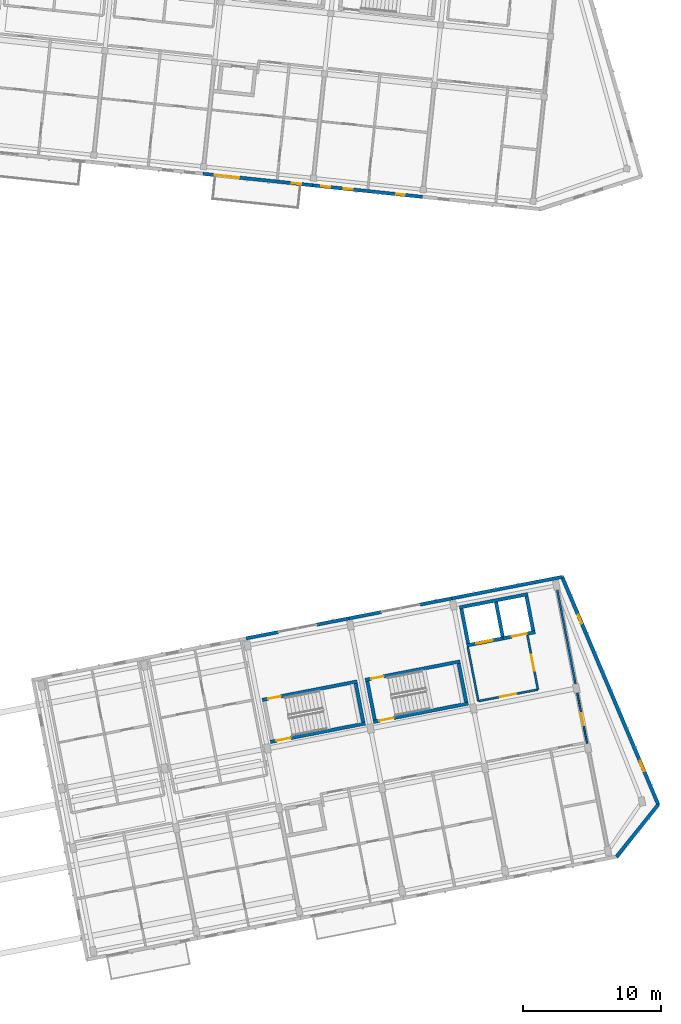
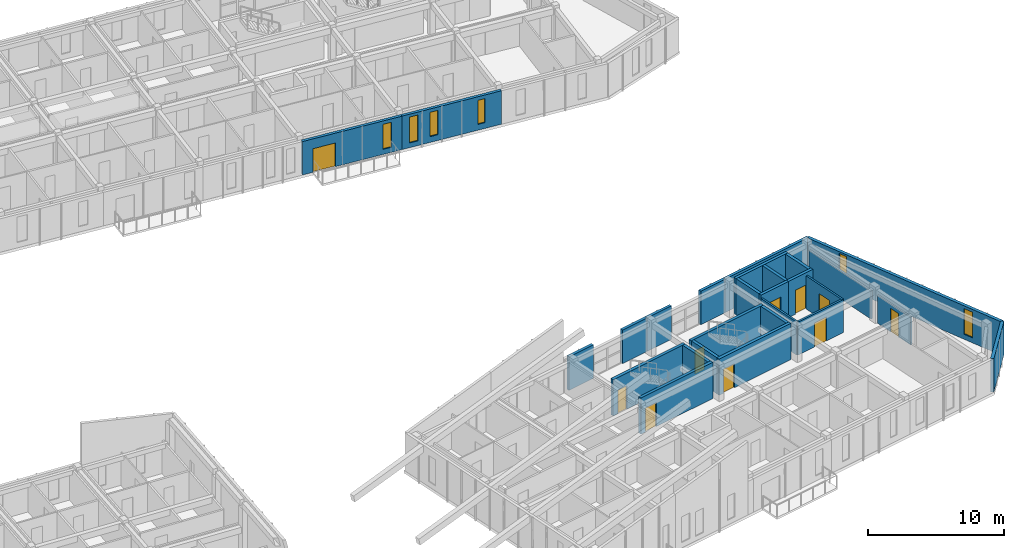
# One storey, part 34 of 64: 27 walls, 10 doors, 6 windows, 16 openings.
"""IFC4 building model written with IfcOpenShell, lengths in metres."""

import ifcopenshell
import ifcopenshell.guid

model = None  # the IFC model being written
_history = None  # IfcOwnerHistory: only IFC2X3 demands one
_inside = {}  # id of a spatial element -> (the spatial element, [elements in it])
_under = {}  # id of a project, library or spatial element -> (it, [spatial elements below it])
_declared = {}  # id of a project -> (the project, [libraries it declares])
_typed = {}  # id of a type object -> (the type object, [elements of that type])
_made_of = {}  # id of a material, layer set ... -> (it, [elements and type objects made of it])


def new_model(schema):
    """Start an empty IFC model of exactly this schema.

    Asked for "IFC4X3", IfcOpenShell would pick the latest addendum, in which some entities
    have other attributes; the version numbers below select the first issue.
    IFC2X3 requires an IfcOwnerHistory on every rooted entity: one is made here for all.
    """
    global model, _history
    if schema == "IFC4X3":
        model = ifcopenshell.file(schema_version=(4, 3, 0, 0))
    else:
        model = ifcopenshell.file(schema=schema)
    _inside.clear()
    _under.clear()
    _declared.clear()
    _typed.clear()
    _made_of.clear()
    _history = None
    if model.schema == "IFC2X3":
        org = make("IfcOrganization", Name="unknown")
        user = make(
            "IfcPersonAndOrganization",
            ThePerson=make("IfcPerson", FamilyName="unknown"),
            TheOrganization=org,
        )
        app = make(
            "IfcApplication",
            ApplicationDeveloper=org,
            Version="unknown",
            ApplicationFullName="unknown",
            ApplicationIdentifier="unknown",
        )
        _history = make(
            "IfcOwnerHistory",
            OwningUser=user,
            OwningApplication=app,
            ChangeAction="ADDED",
            CreationDate=0,
        )
    return model


def make(cls, **values):
    """One entity of the class cls with the attributes given. An attribute that is None is left unset."""
    return model.create_entity(
        cls, **{name: value for name, value in values.items() if value is not None}
    )


def rooted(cls, **values):
    """An entity with a GlobalId (a new one), such as an element, a storey or a relation."""
    return make(cls, GlobalId=ifcopenshell.guid.new(), OwnerHistory=_history, **values)


def si_unit(unit_type, name, prefix=None):
    """IfcSIUnit, for example si_unit("LENGTHUNIT", "METRE", prefix="MILLI")."""
    return make("IfcSIUnit", UnitType=unit_type, Prefix=prefix, Name=name)


def assignment(units):
    """IfcUnitAssignment: the units of a project."""
    return None if units is None else make("IfcUnitAssignment", Units=units)


def point(xyz):
    """IfcCartesianPoint."""
    return None if xyz is None else make("IfcCartesianPoint", Coordinates=xyz)


def direction(xyz):
    """IfcDirection."""
    return None if xyz is None else make("IfcDirection", DirectionRatios=xyz)


def frame(location, z_axis=None, x_axis=None):
    """IfcAxis2Placement3D, a coordinate frame: its origin and axes. An axis left out is left unset."""
    return make(
        "IfcAxis2Placement3D",
        Location=point(location),
        Axis=direction(z_axis),
        RefDirection=direction(x_axis),
    )


def frame_2d(location, x_axis=None):
    """IfcAxis2Placement2D, a coordinate frame in the plane: its origin and x axis."""
    return make(
        "IfcAxis2Placement2D", Location=point(location), RefDirection=direction(x_axis)
    )


def origin():
    """The frame at (0, 0, 0) with its axes left unset."""
    return frame((0.0, 0.0, 0.0))


def place(relative_to, where):
    """IfcLocalPlacement: puts the frame where relative to a parent placement (None: the world)."""
    return make(
        "IfcLocalPlacement", PlacementRelTo=relative_to, RelativePlacement=where
    )


def context(
    kind, dimensions, precision=None, world=None, true_north=None, identifier=None
):
    """IfcGeometricRepresentationContext, for example the 3D "Model" context."""
    return make(
        "IfcGeometricRepresentationContext",
        ContextIdentifier=identifier,
        ContextType=kind,
        CoordinateSpaceDimension=dimensions,
        Precision=precision,
        WorldCoordinateSystem=world,
        TrueNorth=true_north,
    )


def subcontext(parent, identifier, kind, view, scale=None):
    """IfcGeometricRepresentationSubContext, for example "Body" below "Model"."""
    return make(
        "IfcGeometricRepresentationSubContext",
        ContextIdentifier=identifier,
        ContextType=kind,
        ParentContext=parent,
        TargetScale=scale,
        TargetView=view,
    )


def project(units=None, contexts=None):
    """IfcProject with its units and contexts."""
    return rooted(
        "IfcProject",
        Name="project",
        RepresentationContexts=contexts,
        UnitsInContext=assignment(units),
    )


def spatial(cls, under=None, at=None, **own):
    """A site, building, storey or space (cls), placed at a placement, below another one or the project."""
    s = rooted(cls, ObjectPlacement=at, **own)
    if under is not None:
        _under.setdefault(under.id(), (under, []))[1].append(s)
    return s


def profile(cls, at=None, kind="AREA", **sizes):
    """A parametric profile (cls). Its sizes go by their IFC names, for example OverallWidth=200.0."""
    return make(cls, ProfileType=kind, Position=at, **sizes)


def rectangle(**sizes):
    """IfcRectangleProfileDef."""
    return profile("IfcRectangleProfileDef", **sizes)


def extrude(swept, where, along, depth):
    """IfcExtrudedAreaSolid: the profile swept, set in the frame where, extruded along a direction by depth."""
    return make(
        "IfcExtrudedAreaSolid",
        SweptArea=swept,
        Position=where,
        ExtrudedDirection=direction(along),
        Depth=depth,
    )


def shape(context_of_items, identifier, shape_type, items):
    """IfcShapeRepresentation: the items that make up one representation, for example the "Body"."""
    return make(
        "IfcShapeRepresentation",
        ContextOfItems=context_of_items,
        RepresentationIdentifier=identifier,
        RepresentationType=shape_type,
        Items=items,
    )


def material(Name=None, Category=None):
    """IfcMaterial."""
    return make("IfcMaterial", Name=Name, Category=Category)


def layer(
    of_material, thickness, ventilated=None, Name=None, Category=None, Priority=None
):
    """IfcMaterialLayer: one layer of a wall or slab, of a material (None: an air gap)."""
    return make(
        "IfcMaterialLayer",
        Material=of_material,
        LayerThickness=thickness,
        IsVentilated=ventilated,
        Name=Name,
        Category=Category,
        Priority=Priority,
    )


def layer_set(layers, Name=None):
    """IfcMaterialLayerSet."""
    return make("IfcMaterialLayerSet", MaterialLayers=layers, LayerSetName=Name)


def made_of(thing, what):
    """Note that an element or type object is made of a material, layer set ...; save() writes the relation."""
    if what is not None:
        _made_of.setdefault(what.id(), (what, []))[1].append(thing)
    return thing


def type_object(cls, material=None, **own):
    """A type object (cls), such as IfcWallType, which elements share."""
    return made_of(rooted(cls, **own), material)


def element(
    cls,
    number,
    at=None,
    inside=None,
    cuts=None,
    type_object=None,
    material=None,
    context=None,
    identifier="Body",
    shape_type=None,
    held_by="IfcProductDefinitionShape",
    body=None,
    shapes=None,
    **own,
):
    """One element of the class cls, such as IfcWall. Its Tag is "e" and its number.

    at: its placement. inside: the storey or other place that contains it. cuts: it is an
    opening in that element (IfcRelVoidsElement). A single representation is given by context,
    identifier, shape_type and body (its items); several are given by shapes. held_by: the class
    of the entity that holds the representations. save() writes the other relations.
    """
    e = rooted(cls, Tag="e%d" % number, ObjectPlacement=at, **own)
    if body is not None:
        shapes = [shape(context, identifier, shape_type, body)]
    if shapes is not None:
        e.Representation = make(held_by, Representations=shapes)
    if inside is not None:
        _inside.setdefault(inside.id(), (inside, []))[1].append(e)
    if cuts is not None:
        rooted(
            "IfcRelVoidsElement", RelatingBuildingElement=cuts, RelatedOpeningElement=e
        )
    if type_object is not None:
        _typed.setdefault(type_object.id(), (type_object, []))[1].append(e)
    return made_of(e, material)


def fill(opening, filler):
    """IfcRelFillsElement: the door or window that sits in an opening."""
    return rooted(
        "IfcRelFillsElement",
        RelatingOpeningElement=opening,
        RelatedBuildingElement=filler,
    )


def aggregate(whole, parts):
    """IfcRelAggregates: a whole, such as a stair, and the parts it consists of."""
    return rooted("IfcRelAggregates", RelatingObject=whole, RelatedObjects=parts)


def save(model, path):
    """Write the relations noted so far, then the file.

    IfcRelAggregates (storeys below a building ...), IfcRelContainedInSpatialStructure (elements
    in a storey), IfcRelDefinesByType, IfcRelAssociatesMaterial and IfcRelDeclares: one each for
    every whole, place, type object, material and project.
    """
    for whole, parts in _under.values():
        aggregate(whole, parts)
    for where, things in _inside.values():
        rooted(
            "IfcRelContainedInSpatialStructure",
            RelatedElements=things,
            RelatingStructure=where,
        )
    for kind, things in _typed.values():
        rooted("IfcRelDefinesByType", RelatedObjects=things, RelatingType=kind)
    for what, things in _made_of.values():
        rooted("IfcRelAssociatesMaterial", RelatedObjects=things, RelatingMaterial=what)
    for by, libraries in _declared.values():
        rooted("IfcRelDeclares", RelatingContext=by, RelatedDefinitions=libraries)
    model.write(path)


model = new_model("IFC4")

# Units and contexts
model_context = context("Model", 3, precision=1e-05, world=origin(), true_north=direction((0.0, 1.0)))
body_context = subcontext(model_context, "Body", "Model", "MODEL_VIEW")
ifc_project = project(units=[si_unit("LENGTHUNIT", "METRE"), si_unit("AREAUNIT", "SQUARE_METRE"), si_unit("VOLUMEUNIT", "CUBIC_METRE"), si_unit("PLANEANGLEUNIT", "RADIAN"), si_unit("MASSUNIT", "GRAM", prefix="KILO")], contexts=[model_context])

# Site, building, storey
site_placement = place(None, origin())
site = spatial("IfcSite", under=ifc_project, at=site_placement, CompositionType="ELEMENT")
building_placement = place(site_placement, origin())
building = spatial("IfcBuilding", under=site, at=building_placement, Name="Kestramere Prow Commons", CompositionType="ELEMENT")
storey_placement = place(building_placement, frame((0.0, 0.0, 24.64990234375)))
storey = spatial("IfcBuildingStorey", under=building, at=storey_placement, Name="L07", CompositionType="ELEMENT", Elevation=24.64990234375)

# Wall, openings, windows
ifc_material_1 = material(Name="Weathered Zinc-Titanium Standing-Seam Cladding")
ifc_layer_1 = layer(ifc_material_1, 0.260009765625)
ifc_layer_set_1 = layer_set([ifc_layer_1], Name="Weathered Zinc-Titanium Standing-Seam Cladding")
wall_type_1 = type_object("IfcWallType", Name="EW-PROW-260", PredefinedType="SOLIDWALL", material=ifc_layer_set_1)
wall_1_placement = place(storey_placement, frame((159.83740234375, 62.556396484375, 0.0), z_axis=(0.0, 0.0, 1.0), x_axis=(0.389225507936, -0.921142499276, 0.0)))
wall_1 = element("IfcWall", 1, at=wall_1_placement, inside=storey, type_object=wall_type_1, Name="Block D L07 PRW-N Facet Wall", PredefinedType="SOLIDWALL", context=body_context, shape_type="SweptSolid", body=[
    extrude(rectangle(XDim=17.910400390625, YDim=0.260009765625, at=frame_2d((8.955078125, 0.0))), origin(), (0.0, 0.0, 1.0), 3.0),
])
opening_1_placement = place(wall_1_placement, frame((2.989990234375, 0.0, 0.52001953125)))
opening_1 = element("IfcOpeningElement", 2, at=opening_1_placement, cuts=wall_1, Name="Opening WN-05", PredefinedType="OPENING", context=body_context, shape_type="SweptSolid", body=[
    extrude(rectangle(XDim=0.659912109375, YDim=2.320068359375, at=frame_2d((0.330078125, 1.16015625))), frame((0.0, 0.14501953125, 0.0), z_axis=(0.0, -1.0, 0.0), x_axis=(1.0, 0.0, 0.0)), (0.0, 0.0, 1.0), 0.2900390625),
])
opening_2_placement = place(wall_1_placement, frame((14.480224609375, 0.0, 0.449951171875)))
opening_2 = element("IfcOpeningElement", 3, at=opening_2_placement, cuts=wall_1, Name="Opening WN-12", PredefinedType="OPENING", context=body_context, shape_type="SweptSolid", body=[
    extrude(rectangle(XDim=0.800048828125, YDim=2.300048828125, at=frame_2d((0.39990234375, 1.14990234375))), frame((0.0, 0.14501953125, 0.0), z_axis=(0.0, -1.0, 0.0), x_axis=(1.0, 0.0, 0.0)), (0.0, 0.0, 1.0), 0.2900390625),
])
ifc_material_2 = material(Name="Low-E Laminated Double Glazing", Category="glass")
window_type_1 = type_object("IfcWindowType", Name="WN-NAR-660A", PartitioningType="SINGLE_PANEL", PredefinedType="WINDOW", material=ifc_material_2)
window_1_placement = place(opening_1_placement, origin())
window_1 = element("IfcWindow", 4, at=window_1_placement, inside=storey, type_object=window_type_1, Name="WN-D-L07-PRW-N-0", OverallHeight=2.320068359375, OverallWidth=0.659912109375, PartitioningType="SINGLE_PANEL", PredefinedType="WINDOW", context=body_context, shape_type="SweptSolid", body=[
    extrude(rectangle(XDim=0.659912109375, YDim=2.320068359375, at=frame_2d((0.330078125, 1.16015625))), frame((0.0, 0.030029296875, 0.0), z_axis=(0.0, -1.0, 0.0), x_axis=(1.0, 0.0, 0.0)), (0.0, 0.0, 1.0), 0.06005859375),
])
fill(opening_1, window_1)
window_type_2 = type_object("IfcWindowType", Name="WN-NAR-800A", PartitioningType="SINGLE_PANEL", PredefinedType="WINDOW", material=ifc_material_2)
window_2_placement = place(opening_2_placement, origin())
window_2 = element("IfcWindow", 5, at=window_2_placement, inside=storey, type_object=window_type_2, Name="WN-D-L07-PRW-N-1", OverallHeight=2.300048828125, OverallWidth=0.800048828125, PartitioningType="SINGLE_PANEL", PredefinedType="WINDOW", context=body_context, shape_type="SweptSolid", body=[
    extrude(rectangle(XDim=0.800048828125, YDim=2.300048828125, at=frame_2d((0.39990234375, 1.14990234375))), frame((0.0, 0.030029296875, 0.0), z_axis=(0.0, -1.0, 0.0), x_axis=(1.0, 0.0, 0.0)), (0.0, 0.0, 1.0), 0.06005859375),
])
fill(opening_2, window_2)

# Wall
wall_2_placement = place(storey_placement, frame((166.80859375, 46.058349609375, 0.0), z_axis=(0.0, 0.0, 1.0), x_axis=(-0.626281072923, -0.779597343312, 0.0)))
element("IfcWall", 6, at=wall_2_placement, inside=storey, type_object=wall_type_1, Name="Block D L07 PRW-S Facet Wall", PredefinedType="SOLIDWALL", context=body_context, shape_type="SweptSolid", body=[
    extrude(rectangle(XDim=4.83935546875, YDim=0.260009765625, at=frame_2d((2.419677734375, 0.0))), origin(), (0.0, 0.0, 1.0), 3.0),
])

# Wall, openings, door, window
ifc_material_3 = material(Name="Fluoropolymer Standing-Seam Zinc-Aluminium Cladding", Category="aluminium")
ifc_layer_2 = layer(ifc_material_3, 0.239990234375)
ifc_layer_set_2 = layer_set([ifc_layer_2], Name="Fluoropolymer Standing-Seam Zinc-Aluminium Cladding")
wall_type_2 = type_object("IfcWallType", Name="EW-SEAM-240", PredefinedType="SOLIDWALL", material=ifc_layer_set_2)
wall_3_placement = place(storey_placement, frame((141.769775390625, 90.932861328125, 0.0), z_axis=(0.0, 0.0, 1.0), x_axis=(-0.994519156568, 0.104554517933, 0.0)))
wall_3 = element("IfcWall", 7, at=wall_3_placement, inside=storey, type_object=wall_type_2, Name="Block B L07 South Standing-Seam Wall 4", PredefinedType="SOLIDWALL", context=body_context, shape_type="SweptSolid", body=[
    extrude(rectangle(XDim=8.0, YDim=0.239990234375, at=frame_2d((4.0, 0.0))), origin(), (0.0, 0.0, 1.0), 3.0),
])
opening_3_placement = place(wall_3_placement, frame((5.344970703125, 0.0, 0.0)))
opening_3 = element("IfcOpeningElement", 8, at=opening_3_placement, cuts=wall_3, Name="Opening GD-BAL-02", PredefinedType="OPENING", context=body_context, shape_type="SweptSolid", body=[
    extrude(rectangle(XDim=1.800048828125, YDim=2.1201171875, at=frame_2d((0.89990234375, 1.06005859375))), frame((0.0, 0.135009765625, 0.0), z_axis=(0.0, -1.0, 0.0), x_axis=(1.0, 0.0, 0.0)), (0.0, 0.0, 1.0), 0.27001953125),
])
opening_4_placement = place(wall_3_placement, frame((0.830078125, 0.0, 0.4599609375)))
opening_4 = element("IfcOpeningElement", 9, at=opening_4_placement, cuts=wall_3, Name="Opening WN-06", PredefinedType="OPENING", context=body_context, shape_type="SweptSolid", body=[
    extrude(rectangle(XDim=0.679931640625, YDim=2.239990234375, at=frame_2d((0.33984375, 1.1201171875))), frame((0.0, 0.135009765625, 0.0), z_axis=(0.0, -1.0, 0.0), x_axis=(1.0, 0.0, 0.0)), (0.0, 0.0, 1.0), 0.27001953125),
])
ifc_material_4 = material(Name="Thermally-Broken Anodised Aluminium Glazed", Category="aluminium")
door_type_1 = type_object("IfcDoorType", Name="GD-BAL-1800", OperationType="SLIDING_TO_LEFT", PredefinedType="DOOR", material=ifc_material_4)
door_1_placement = place(opening_3_placement, origin())
door_1 = element("IfcDoor", 10, at=door_1_placement, inside=storey, type_object=door_type_1, Name="Block B L07 Balcony Door 4", OperationType="SLIDING_TO_LEFT", OverallHeight=2.1201171875, OverallWidth=1.800048828125, PredefinedType="DOOR", context=body_context, shape_type="SweptSolid", body=[
    extrude(rectangle(XDim=1.800048828125, YDim=2.1201171875, at=frame_2d((0.89990234375, 1.06005859375))), frame((0.0, 0.02490234375, 0.0), z_axis=(0.0, -1.0, 0.0), x_axis=(1.0, 0.0, 0.0)), (0.0, 0.0, 1.0), 0.050048828125),
])
fill(opening_3, door_1)
window_type_3 = type_object("IfcWindowType", Name="WN-NAR-680A", PartitioningType="SINGLE_PANEL", PredefinedType="WINDOW", material=ifc_material_2)
window_3_placement = place(opening_4_placement, origin())
window_3 = element("IfcWindow", 11, at=window_3_placement, inside=storey, type_object=window_type_3, Name="WN-B-L07-SR-3", OverallHeight=2.239990234375, OverallWidth=0.679931640625, PartitioningType="SINGLE_PANEL", PredefinedType="WINDOW", context=body_context, shape_type="SweptSolid", body=[
    extrude(rectangle(XDim=0.679931640625, YDim=2.239990234375, at=frame_2d((0.33984375, 1.1201171875))), frame((0.0, 0.030029296875, 0.0), z_axis=(0.0, -1.0, 0.0), x_axis=(1.0, 0.0, 0.0)), (0.0, 0.0, 1.0), 0.06005859375),
])
fill(opening_4, window_3)

# Wall, openings, windows
wall_4_placement = place(storey_placement, frame((149.72607421875, 90.0966796875, 0.0), z_axis=(0.0, 0.0, 1.0), x_axis=(-0.994522662826, 0.104521161134, 0.0)))
wall_4 = element("IfcWall", 12, at=wall_4_placement, inside=storey, type_object=wall_type_2, Name="Block B L07 South Standing-Seam Wall 5", PredefinedType="SOLIDWALL", context=body_context, shape_type="SweptSolid", body=[
    extrude(rectangle(XDim=8.0, YDim=0.239990234375, at=frame_2d((4.0, 0.0))), origin(), (0.0, 0.0, 1.0), 3.0),
])
opening_5_placement = place(wall_4_placement, frame((1.318603515625, 0.0, 0.52001953125)))
opening_5 = element("IfcOpeningElement", 13, at=opening_5_placement, cuts=wall_4, Name="Opening WN-01", PredefinedType="OPENING", context=body_context, shape_type="SweptSolid", body=[
    extrude(rectangle(XDim=0.580078125, YDim=2.159912109375, at=frame_2d((0.2900390625, 1.080078125))), frame((0.0, 0.135009765625, 0.0), z_axis=(0.0, -1.0, 0.0), x_axis=(1.0, 0.0, 0.0)), (0.0, 0.0, 1.0), 0.27001953125),
])
opening_6_placement = place(wall_4_placement, frame((5.10009765625, 0.0, 0.52001953125)))
opening_6 = element("IfcOpeningElement", 14, at=opening_6_placement, cuts=wall_4, Name="Opening WN-04", PredefinedType="OPENING", context=body_context, shape_type="SweptSolid", body=[
    extrude(rectangle(XDim=0.639892578125, YDim=2.179931640625, at=frame_2d((0.31982421875, 1.08984375))), frame((0.0, 0.135009765625, 0.0), z_axis=(0.0, -1.0, 0.0), x_axis=(1.0, 0.0, 0.0)), (0.0, 0.0, 1.0), 0.27001953125),
])
opening_7_placement = place(wall_4_placement, frame((6.72998046875, 0.0, 0.419921875)))
opening_7 = element("IfcOpeningElement", 15, at=opening_7_placement, cuts=wall_4, Name="Opening WN-05", PredefinedType="OPENING", context=body_context, shape_type="SweptSolid", body=[
    extrude(rectangle(XDim=0.659912109375, YDim=2.320068359375, at=frame_2d((0.330078125, 1.16015625))), frame((0.0, 0.135009765625, 0.0), z_axis=(0.0, -1.0, 0.0), x_axis=(1.0, 0.0, 0.0)), (0.0, 0.0, 1.0), 0.27001953125),
])
window_type_4 = type_object("IfcWindowType", Name="WN-NAR-580A", PartitioningType="SINGLE_PANEL", PredefinedType="WINDOW", material=ifc_material_2)
window_4_placement = place(opening_5_placement, origin())
window_4 = element("IfcWindow", 16, at=window_4_placement, inside=storey, type_object=window_type_4, Name="WN-B-L07-S-4-00", OverallHeight=2.159912109375, OverallWidth=0.580078125, PartitioningType="SINGLE_PANEL", PredefinedType="WINDOW", context=body_context, shape_type="SweptSolid", body=[
    extrude(rectangle(XDim=0.580078125, YDim=2.159912109375, at=frame_2d((0.2900390625, 1.080078125))), frame((0.0, 0.030029296875, 0.0), z_axis=(0.0, -1.0, 0.0), x_axis=(1.0, 0.0, 0.0)), (0.0, 0.0, 1.0), 0.06005859375),
])
fill(opening_5, window_4)
window_type_5 = type_object("IfcWindowType", Name="WN-NAR-640A", PartitioningType="SINGLE_PANEL", PredefinedType="WINDOW", material=ifc_material_2)
window_5_placement = place(opening_6_placement, origin())
window_5 = element("IfcWindow", 17, at=window_5_placement, inside=storey, type_object=window_type_5, Name="WN-B-L07-S-4-10", OverallHeight=2.179931640625, OverallWidth=0.639892578125, PartitioningType="SINGLE_PANEL", PredefinedType="WINDOW", context=body_context, shape_type="SweptSolid", body=[
    extrude(rectangle(XDim=0.639892578125, YDim=2.179931640625, at=frame_2d((0.31982421875, 1.08984375))), frame((0.0, 0.030029296875, 0.0), z_axis=(0.0, -1.0, 0.0), x_axis=(1.0, 0.0, 0.0)), (0.0, 0.0, 1.0), 0.06005859375),
])
fill(opening_6, window_5)
window_6_placement = place(opening_7_placement, origin())
window_6 = element("IfcWindow", 18, at=window_6_placement, inside=storey, type_object=window_type_1, Name="WN-B-L07-S-4-11", OverallHeight=2.320068359375, OverallWidth=0.659912109375, PartitioningType="SINGLE_PANEL", PredefinedType="WINDOW", context=body_context, shape_type="SweptSolid", body=[
    extrude(rectangle(XDim=0.659912109375, YDim=2.320068359375, at=frame_2d((0.330078125, 1.16015625))), frame((0.0, 0.030029296875, 0.0), z_axis=(0.0, -1.0, 0.0), x_axis=(1.0, 0.0, 0.0)), (0.0, 0.0, 1.0), 0.06005859375),
])
fill(opening_7, window_6)

# Walls
for number, where, z_axis, x_axis, name in (
    (19, (136.941162109375, 58.105712890625, 0.0), (0.0, 0.0, 1.0), (0.981629832251, 0.190795367961, 0.0), "Block D L07 North Standing-Seam Pier 4L"),
    (20, (142.070068359375, 59.102783203125, 0.0), (0.0, 0.0, 1.0), (0.981629832251, 0.190795367961, 0.0), "Block D L07 North Standing-Seam Pier 4R"),
):
    element("IfcWall", number, at=place(storey_placement, frame(where, z_axis=z_axis, x_axis=x_axis)), inside=storey, type_object=wall_type_2, Name=name, PredefinedType="SOLIDWALL", context=body_context, shape_type="SweptSolid", body=[
        extrude(rectangle(XDim=2.375, YDim=0.239990234375, at=frame_2d((1.1875, 0.0))), origin(), (0.0, 0.0, 1.0), 3.0),
    ])
wall_5_placement = place(storey_placement, frame((144.4013671875, 59.555908203125, 0.0), z_axis=(0.0, 0.0, 1.0), x_axis=(0.981633573872, 0.190776116556, 0.0)))
element("IfcWall", 21, at=wall_5_placement, inside=storey, type_object=wall_type_2, Name="Block D L07 North Standing-Seam Pier 5L", PredefinedType="SOLIDWALL", context=body_context, shape_type="SweptSolid", body=[
    extrude(rectangle(XDim=2.375244140625, YDim=0.239990234375, at=frame_2d((1.1875, 0.0))), origin(), (0.0, 0.0, 1.0), 3.0),
])
wall_6_placement = place(storey_placement, frame((149.530517578125, 60.552734375, 0.0), z_axis=(0.0, 0.0, 1.0), x_axis=(0.98161057432, 0.190894422087, 0.0)))
element("IfcWall", 22, at=wall_6_placement, inside=storey, type_object=wall_type_2, Name="Block D L07 North Standing-Seam Pier 5R", PredefinedType="SOLIDWALL", context=body_context, shape_type="SweptSolid", body=[
    extrude(rectangle(XDim=2.375, YDim=0.239990234375, at=frame_2d((1.1875, 0.0))), origin(), (0.0, 0.0, 1.0), 3.0),
])
wall_7_placement = place(storey_placement, frame((151.86181640625, 61.006103515625, 0.0), z_axis=(0.0, 0.0, 1.0), x_axis=(0.981627273155, 0.190808533872, 0.0)))
element("IfcWall", 23, at=wall_7_placement, inside=storey, type_object=wall_type_2, Name="Block D L07 North Standing-Seam Wall 6", PredefinedType="SOLIDWALL", context=body_context, shape_type="SweptSolid", body=[
    extrude(rectangle(XDim=8.124755859375, YDim=0.239990234375, at=frame_2d((4.0625, 0.0))), origin(), (0.0, 0.0, 1.0), 3.0),
])
ifc_material_5 = material(Name="Concrete C40/50", Category="concrete")
ifc_layer_3 = layer(ifc_material_5, 0.25)
ifc_layer_set_3 = layer_set([ifc_layer_3], Name="Concrete C40/50")
wall_type_3 = type_object("IfcWallType", Name="W-CORE-250", PredefinedType="SHEAR", material=ifc_layer_set_3)
wall_8_placement = place(storey_placement, frame((152.3974609375, 60.34619140625, 0.0), z_axis=(0.0, 0.0, 1.0), x_axis=(0.981635261308, 0.190767433692, 0.0)))
element("IfcWall", 24, at=wall_8_placement, inside=storey, type_object=wall_type_3, Name="Block D L07 Lift Core Back Wall", PredefinedType="SHEAR", context=body_context, shape_type="SweptSolid", body=[
    extrude(rectangle(XDim=5.050048828125, YDim=0.25, at=frame_2d((2.52490234375, 0.0))), origin(), (0.0, 0.0, 1.0), 3.25),
])

# Wall, opening, door
wall_9_placement = place(storey_placement, frame((152.931884765625, 57.59765625, 0.0), z_axis=(0.0, 0.0, 1.0), x_axis=(0.981636759622, 0.190759723627, 0.0)))
wall_9 = element("IfcWall", 25, at=wall_9_placement, inside=storey, type_object=wall_type_3, Name="Block D L07 Fire Lift Shaft Front Wall", PredefinedType="SHEAR", context=body_context, shape_type="SweptSolid", body=[
    extrude(rectangle(XDim=2.6748046875, YDim=0.25, at=frame_2d((1.33740234375, 0.0))), origin(), (0.0, 0.0, 1.0), 3.25),
])
opening_8_placement = place(wall_9_placement, frame((0.719970703125, 0.0, 0.0)))
opening_8 = element("IfcOpeningElement", 26, at=opening_8_placement, cuts=wall_9, Name="Opening LD-02", PredefinedType="OPENING", context=body_context, shape_type="SweptSolid", body=[
    extrude(rectangle(XDim=1.199951171875, YDim=2.199951171875, at=frame_2d((0.60009765625, 1.10009765625))), frame((0.0, 0.139892578125, 0.0), z_axis=(0.0, -1.0, 0.0), x_axis=(1.0, 0.0, 0.0)), (0.0, 0.0, 1.0), 0.280029296875),
])
ifc_material_6 = material(Name="Brushed Stainless Steel 316", Category="steel")
door_type_2 = type_object("IfcDoorType", Name="LD-02", OperationType="DOUBLE_DOOR_SLIDING", PredefinedType="DOOR", material=ifc_material_6)
door_2_placement = place(opening_8_placement, origin())
door_2 = element("IfcDoor", 27, at=door_2_placement, inside=storey, type_object=door_type_2, Name="FL-D1 L07 Lift Landing Door", OperationType="DOUBLE_DOOR_SLIDING", OverallHeight=2.199951171875, OverallWidth=1.199951171875, PredefinedType="DOOR", context=body_context, shape_type="SweptSolid", body=[
    extrude(rectangle(XDim=1.199951171875, YDim=2.199951171875, at=frame_2d((0.60009765625, 1.10009765625))), frame((0.0, 0.02490234375, 0.0), z_axis=(0.0, -1.0, 0.0), x_axis=(1.0, 0.0, 0.0)), (0.0, 0.0, 1.0), 0.050048828125),
])
fill(opening_8, door_2)

wall_10_placement = place(storey_placement, frame((155.5576171875, 58.10791015625, 0.0), z_axis=(0.0, 0.0, 1.0), x_axis=(0.981633573872, 0.190776116556, 0.0)))
wall_10 = element("IfcWall", 28, at=wall_10_placement, inside=storey, type_object=wall_type_3, Name="Block D L07 Passenger Lift Shaft Front Wall", PredefinedType="SHEAR", context=body_context, shape_type="SweptSolid", body=[
    extrude(rectangle(XDim=2.375244140625, YDim=0.25, at=frame_2d((1.1875, 0.0))), origin(), (0.0, 0.0, 1.0), 3.25),
])
opening_9_placement = place(wall_10_placement, frame((0.64990234375, 0.0, 0.0)))
opening_9 = element("IfcOpeningElement", 29, at=opening_9_placement, cuts=wall_10, Name="Opening LD-01", PredefinedType="OPENING", context=body_context, shape_type="SweptSolid", body=[
    extrude(rectangle(XDim=1.10009765625, YDim=2.14990234375, at=frame_2d((0.550048828125, 1.074951171875))), frame((0.0, 0.139892578125, 0.0), z_axis=(0.0, -1.0, 0.0), x_axis=(1.0, 0.0, 0.0)), (0.0, 0.0, 1.0), 0.280029296875),
])
ifc_material_7 = material(Name="Brushed Stainless Steel 304", Category="steel")
door_type_3 = type_object("IfcDoorType", Name="LD-01", OperationType="DOUBLE_DOOR_SLIDING", PredefinedType="DOOR", material=ifc_material_7)
door_3_placement = place(opening_9_placement, origin())
door_3 = element("IfcDoor", 30, at=door_3_placement, inside=storey, type_object=door_type_3, Name="PL-D2 L07 Lift Landing Door", OperationType="DOUBLE_DOOR_SLIDING", OverallHeight=2.14990234375, OverallWidth=1.10009765625, PredefinedType="DOOR", context=body_context, shape_type="SweptSolid", body=[
    extrude(rectangle(XDim=1.10009765625, YDim=2.14990234375, at=frame_2d((0.550048828125, 1.074951171875))), frame((0.0, 0.02490234375, 0.0), z_axis=(0.0, -1.0, 0.0), x_axis=(1.0, 0.0, 0.0)), (0.0, 0.0, 1.0), 0.050048828125),
])
fill(opening_9, door_3)

# Walls
for number, where, z_axis, x_axis, name in (
    (31, (153.03076171875, 57.744140625, 0.0), (0.0, 0.0, 1.0), (-0.190810719655, 0.98162684828, 0.0), "Block D L07 Lift Core Side Wall L"),
    (32, (155.533935546875, 58.230712890625, 0.0), (0.0, 0.0, 1.0), (-0.190810719655, 0.98162684828, 0.0), "Block D L07 Lift Core Side Wall M"),
    (33, (157.742431640625, 58.659912109375, 0.0), (0.0, 0.0, 1.0), (-0.190810719655, 0.98162684828, 0.0), "Block D L07 Lift Core Side Wall R"),
):
    element("IfcWall", number, at=place(storey_placement, frame(where, z_axis=z_axis, x_axis=x_axis)), inside=storey, type_object=wall_type_3, Name=name, PredefinedType="SHEAR", context=body_context, shape_type="SweptSolid", body=[
        extrude(rectangle(XDim=2.550048828125, YDim=0.25, at=frame_2d((1.27490234375, 0.0))), origin(), (0.0, 0.0, 1.0), 3.25),
    ])

# Wall, opening, door
wall_11_placement = place(storey_placement, frame((138.11328125, 53.6474609375, 0.0), z_axis=(0.0, 0.0, 1.0), x_axis=(0.981626097708, 0.19081458094, 0.0)))
wall_11 = element("IfcWall", 34, at=wall_11_placement, inside=storey, type_object=wall_type_3, Name="ST-D1 L07 North Shaft Wall", PredefinedType="SHEAR", context=body_context, shape_type="SweptSolid", body=[
    extrude(rectangle(XDim=7.0, YDim=0.25, at=frame_2d((3.5, 0.0))), origin(), (0.0, 0.0, 1.0), 3.25),
])
opening_10_placement = place(wall_11_placement, frame((0.449951171875, 0.0, 0.0)))
opening_10 = element("IfcOpeningElement", 35, at=opening_10_placement, cuts=wall_11, Name="Opening ID-08", PredefinedType="OPENING", context=body_context, shape_type="SweptSolid", body=[
    extrude(rectangle(XDim=0.89990234375, YDim=2.10009765625, at=frame_2d((0.449951171875, 1.050048828125))), frame((0.0, 0.139892578125, 0.0), z_axis=(0.0, -1.0, 0.0), x_axis=(1.0, 0.0, 0.0)), (0.0, 0.0, 1.0), 0.280029296875),
])
ifc_material_8 = material(Name="Engineered Timber Flush Door", Category="wood")
door_type_4 = type_object("IfcDoorType", Name="D-RM-01", OperationType="NOTDEFINED", PredefinedType="DOOR", material=ifc_material_8)
door_4_placement = place(opening_10_placement, origin())
door_4 = element("IfcDoor", 36, at=door_4_placement, inside=storey, type_object=door_type_4, Name="ST-D1 L07 North Room Door", OperationType="SINGLE_SWING_RIGHT", OverallHeight=2.10009765625, OverallWidth=0.89990234375, PredefinedType="DOOR", context=body_context, shape_type="SweptSolid", body=[
    extrude(rectangle(XDim=0.89990234375, YDim=2.10009765625, at=frame_2d((0.449951171875, 1.050048828125))), frame((0.0, 0.02490234375, 0.0), z_axis=(0.0, -1.0, 0.0), x_axis=(1.0, 0.0, 0.0)), (0.0, 0.0, 1.0), 0.050048828125),
])
fill(opening_10, door_4)

wall_12_placement = place(storey_placement, frame((138.704833984375, 50.6044921875, 0.0), z_axis=(0.0, 0.0, 1.0), x_axis=(0.981626097708, 0.19081458094, 0.0)))
wall_12 = element("IfcWall", 37, at=wall_12_placement, inside=storey, type_object=wall_type_3, Name="ST-D1 L07 Corridor Shaft Wall", PredefinedType="SHEAR", context=body_context, shape_type="SweptSolid", body=[
    extrude(rectangle(XDim=7.0, YDim=0.25, at=frame_2d((3.5, 0.0))), origin(), (0.0, 0.0, 1.0), 3.25),
])
opening_11_placement = place(wall_12_placement, frame((0.449951171875, 0.0, 0.0)))
opening_11 = element("IfcOpeningElement", 38, at=opening_11_placement, cuts=wall_12, Name="Opening ID-01", PredefinedType="OPENING", context=body_context, shape_type="SweptSolid", body=[
    extrude(rectangle(XDim=1.050048828125, YDim=2.14990234375, at=frame_2d((0.52490234375, 1.074951171875))), frame((0.0, 0.139892578125, 0.0), z_axis=(0.0, -1.0, 0.0), x_axis=(1.0, 0.0, 0.0)), (0.0, 0.0, 1.0), 0.280029296875),
])
ifc_material_9 = material(Name="Fire-Rated Timber and Steel Frame", Category="steel")
door_type_5 = type_object("IfcDoorType", Name="FD-ST-01", OperationType="NOTDEFINED", PredefinedType="DOOR", material=ifc_material_9)
door_5_placement = place(opening_11_placement, origin())
door_5 = element("IfcDoor", 39, at=door_5_placement, inside=storey, type_object=door_type_5, Name="ST-D1 L07 Protected Stair Door", OperationType="SINGLE_SWING_RIGHT", OverallHeight=2.14990234375, OverallWidth=1.050048828125, PredefinedType="DOOR", context=body_context, shape_type="SweptSolid", body=[
    extrude(rectangle(XDim=1.050048828125, YDim=2.14990234375, at=frame_2d((0.52490234375, 1.074951171875))), frame((0.0, 0.02490234375, 0.0), z_axis=(0.0, -1.0, 0.0), x_axis=(1.0, 0.0, 0.0)), (0.0, 0.0, 1.0), 0.050048828125),
])
fill(opening_11, door_5)

# Wall
wall_13_placement = place(storey_placement, frame((145.4296875, 52.038818359375, 0.0), z_axis=(0.0, 0.0, 1.0), x_axis=(-0.190842147128, 0.981620738819, 0.0)))
element("IfcWall", 40, at=wall_13_placement, inside=storey, type_object=wall_type_3, Name="ST-D1 L07 Far Shaft Wall", PredefinedType="SHEAR", context=body_context, shape_type="SweptSolid", body=[
    extrude(rectangle(XDim=2.850341796875, YDim=0.25, at=frame_2d((1.42529296875, 0.0))), origin(), (0.0, 0.0, 1.0), 3.25),
])

# Wall, opening, door
wall_14_placement = place(storey_placement, frame((145.57373046875, 55.09765625, 0.0), z_axis=(0.0, 0.0, 1.0), x_axis=(0.981626097708, 0.19081458094, 0.0)))
wall_14 = element("IfcWall", 41, at=wall_14_placement, inside=storey, type_object=wall_type_3, Name="ST-D2 L07 North Shaft Wall", PredefinedType="SHEAR", context=body_context, shape_type="SweptSolid", body=[
    extrude(rectangle(XDim=7.0, YDim=0.25, at=frame_2d((3.5, 0.0))), origin(), (0.0, 0.0, 1.0), 3.25),
])
opening_12_placement = place(wall_14_placement, frame((0.449951171875, 0.0, 0.0)))
opening_12 = element("IfcOpeningElement", 42, at=opening_12_placement, cuts=wall_14, Name="Opening ID-08", PredefinedType="OPENING", context=body_context, shape_type="SweptSolid", body=[
    extrude(rectangle(XDim=0.89990234375, YDim=2.10009765625, at=frame_2d((0.449951171875, 1.050048828125))), frame((0.0, 0.139892578125, 0.0), z_axis=(0.0, -1.0, 0.0), x_axis=(1.0, 0.0, 0.0)), (0.0, 0.0, 1.0), 0.280029296875),
])
door_6_placement = place(opening_12_placement, origin())
door_6 = element("IfcDoor", 43, at=door_6_placement, inside=storey, type_object=door_type_4, Name="ST-D2 L07 North Room Door", OperationType="SINGLE_SWING_RIGHT", OverallHeight=2.10009765625, OverallWidth=0.89990234375, PredefinedType="DOOR", context=body_context, shape_type="SweptSolid", body=[
    extrude(rectangle(XDim=0.89990234375, YDim=2.10009765625, at=frame_2d((0.449951171875, 1.050048828125))), frame((0.0, 0.02490234375, 0.0), z_axis=(0.0, -1.0, 0.0), x_axis=(1.0, 0.0, 0.0)), (0.0, 0.0, 1.0), 0.050048828125),
])
fill(opening_12, door_6)

wall_15_placement = place(storey_placement, frame((146.1650390625, 52.054443359375, 0.0), z_axis=(0.0, 0.0, 1.0), x_axis=(0.981627367538, 0.190808048312, 0.0)))
wall_15 = element("IfcWall", 44, at=wall_15_placement, inside=storey, type_object=wall_type_3, Name="ST-D2 L07 Corridor Shaft Wall", PredefinedType="SHEAR", context=body_context, shape_type="SweptSolid", body=[
    extrude(rectangle(XDim=7.000244140625, YDim=0.25, at=frame_2d((3.5, 0.0))), origin(), (0.0, 0.0, 1.0), 3.25),
])
opening_13_placement = place(wall_15_placement, frame((0.449951171875, 0.0, 0.0)))
opening_13 = element("IfcOpeningElement", 45, at=opening_13_placement, cuts=wall_15, Name="Opening ID-01", PredefinedType="OPENING", context=body_context, shape_type="SweptSolid", body=[
    extrude(rectangle(XDim=1.050048828125, YDim=2.14990234375, at=frame_2d((0.52490234375, 1.074951171875))), frame((0.0, 0.139892578125, 0.0), z_axis=(0.0, -1.0, 0.0), x_axis=(1.0, 0.0, 0.0)), (0.0, 0.0, 1.0), 0.280029296875),
])
door_7_placement = place(opening_13_placement, origin())
door_7 = element("IfcDoor", 46, at=door_7_placement, inside=storey, type_object=door_type_5, Name="ST-D2 L07 Protected Stair Door", OperationType="SINGLE_SWING_RIGHT", OverallHeight=2.14990234375, OverallWidth=1.050048828125, PredefinedType="DOOR", context=body_context, shape_type="SweptSolid", body=[
    extrude(rectangle(XDim=1.050048828125, YDim=2.14990234375, at=frame_2d((0.52490234375, 1.074951171875))), frame((0.0, 0.02490234375, 0.0), z_axis=(0.0, -1.0, 0.0), x_axis=(1.0, 0.0, 0.0)), (0.0, 0.0, 1.0), 0.050048828125),
])
fill(opening_13, door_7)

# Walls
for number, where, z_axis, x_axis, name in (
    (47, (146.263916015625, 52.201171875, 0.0), (0.0, 0.0, 1.0), (-0.190775649797, 0.981633664584, 0.0), "ST-D2 L07 Near Shaft Wall"),
    (48, (152.889892578125, 53.489013671875, 0.0), (0.0, 0.0, 1.0), (-0.190775649797, 0.981633664584, 0.0), "ST-D2 L07 Far Shaft Wall"),
):
    element("IfcWall", number, at=place(storey_placement, frame(where, z_axis=z_axis, x_axis=x_axis)), inside=storey, type_object=wall_type_3, Name=name, PredefinedType="SHEAR", context=body_context, shape_type="SweptSolid", body=[
        extrude(rectangle(XDim=2.849853515625, YDim=0.25, at=frame_2d((1.4248046875, 0.0))), origin(), (0.0, 0.0, 1.0), 3.25),
    ])

# Wall, opening, door
ifc_material_10 = material(Name="Fire-Rated Calcium Silicate Wall")
ifc_layer_4 = layer(ifc_material_10, 0.155029296875)
ifc_layer_set_4 = layer_set([ifc_layer_4], Name="Fire-Rated Calcium Silicate Wall")
wall_type_4 = type_object("IfcWallType", Name="W-FIRE-150", PredefinedType="PARTITIONING", material=ifc_layer_set_4)
wall_16_placement = place(storey_placement, frame((153.76806640625, 53.557861328125, 0.0), z_axis=(0.0, 0.0, 1.0), x_axis=(0.981624918225, 0.190820648566, 0.0)))
wall_16 = element("IfcWall", 49, at=wall_16_placement, inside=storey, type_object=wall_type_4, Name="Interior Partition PW-D-L07-FFL-S", PredefinedType="PARTITIONING", context=body_context, shape_type="SweptSolid", body=[
    extrude(rectangle(XDim=4.39990234375, YDim=0.155029296875, at=frame_2d((2.199951171875, 0.0))), origin(), (0.0, 0.0, 1.0), 2.97021484375),
])
opening_14_placement = place(wall_16_placement, frame((1.60009765625, 0.0, 0.0)))
opening_14 = element("IfcOpeningElement", 50, at=opening_14_placement, cuts=wall_16, Name="Opening ID-03", PredefinedType="OPENING", context=body_context, shape_type="SweptSolid", body=[
    extrude(rectangle(XDim=1.179931640625, YDim=2.14990234375, at=frame_2d((0.58984375, 1.074951171875))), frame((0.0, 0.092529296875, 0.0), z_axis=(0.0, -1.0, 0.0), x_axis=(1.0, 0.0, 0.0)), (0.0, 0.0, 1.0), 0.18505859375),
])
ifc_material_11 = material(Name="Fire-Rated Glazed Smoke-Stop Door")
door_type_6 = type_object("IfcDoorType", Name="FD-LB-01", OperationType="NOTDEFINED", PredefinedType="DOOR", material=ifc_material_11)
door_8_placement = place(opening_14_placement, origin())
door_8 = element("IfcDoor", 51, at=door_8_placement, inside=storey, type_object=door_type_6, Name="Interior Door DR-D-L07-FFL", OperationType="SINGLE_SWING_RIGHT", OverallHeight=2.14990234375, OverallWidth=1.179931640625, PredefinedType="DOOR", context=body_context, shape_type="SweptSolid", body=[
    extrude(rectangle(XDim=1.179931640625, YDim=2.14990234375, at=frame_2d((0.58984375, 1.074951171875))), frame((0.0, 0.02490234375, 0.0), z_axis=(0.0, -1.0, 0.0), x_axis=(1.0, 0.0, 0.0)), (0.0, 0.0, 1.0), 0.050048828125),
])
fill(opening_14, door_8)

# Wall
wall_17_placement = place(storey_placement, frame((153.76806640625, 53.557861328125, 0.0), z_axis=(0.0, 0.0, 1.0), x_axis=(-0.19085495634, 0.981618248425, 0.0)))
element("IfcWall", 52, at=wall_17_placement, inside=storey, type_object=wall_type_4, Name="Interior Partition PW-D-L07-FFL-W", PredefinedType="PARTITIONING", context=body_context, shape_type="SweptSolid", body=[
    extrude(rectangle(XDim=4.0, YDim=0.155029296875, at=frame_2d((2.0, 0.0))), origin(), (0.0, 0.0, 1.0), 2.97021484375),
])

# Wall, opening, door
wall_18_placement = place(storey_placement, frame((158.087158203125, 54.3974609375, 0.0), z_axis=(0.0, 0.0, 1.0), x_axis=(-0.190796144009, 0.981629681413, 0.0)))
wall_18 = element("IfcWall", 53, at=wall_18_placement, inside=storey, type_object=wall_type_4, Name="Interior Partition PW-D-L07-FFL-E", PredefinedType="PARTITIONING", context=body_context, shape_type="SweptSolid", body=[
    extrude(rectangle(XDim=4.0, YDim=0.155029296875, at=frame_2d((2.0, 0.0))), origin(), (0.0, 0.0, 1.0), 2.97021484375),
])
opening_15_placement = place(wall_18_placement, frame((1.39990234375, 0.0, 0.0)))
opening_15 = element("IfcOpeningElement", 54, at=opening_15_placement, cuts=wall_18, Name="Opening ID-03", PredefinedType="OPENING", context=body_context, shape_type="SweptSolid", body=[
    extrude(rectangle(XDim=1.179931640625, YDim=2.14990234375, at=frame_2d((0.58984375, 1.074951171875))), frame((0.0, 0.092529296875, 0.0), z_axis=(0.0, -1.0, 0.0), x_axis=(1.0, 0.0, 0.0)), (0.0, 0.0, 1.0), 0.18505859375),
])
door_9_placement = place(opening_15_placement, origin())
door_9 = element("IfcDoor", 55, at=door_9_placement, inside=storey, type_object=door_type_6, Name="Interior Door DR-D-L07-FFL-PL", OperationType="SINGLE_SWING_LEFT", OverallHeight=2.14990234375, OverallWidth=1.179931640625, PredefinedType="DOOR", context=body_context, shape_type="SweptSolid", body=[
    extrude(rectangle(XDim=1.179931640625, YDim=2.14990234375, at=frame_2d((0.58984375, 1.074951171875))), frame((0.0, 0.02490234375, 0.0), z_axis=(0.0, -1.0, 0.0), x_axis=(1.0, 0.0, 0.0)), (0.0, 0.0, 1.0), 0.050048828125),
])
fill(opening_15, door_9)

ifc_material_12 = material(Name="Lightweight Blockwork and Plaster", Category="masonry")
ifc_layer_5 = layer(ifc_material_12, 0.1201171875)
ifc_layer_set_5 = layer_set([ifc_layer_5], Name="Lightweight Blockwork and Plaster")
wall_type_5 = type_object("IfcWallType", Name="W-PART-120", PredefinedType="PARTITIONING", material=ifc_layer_set_5)
wall_19_placement = place(storey_placement, frame((161.648193359375, 50.489990234375, 0.0), z_axis=(0.0, 0.0, 1.0), x_axis=(-0.190789073686, 0.981631055622, 0.0)))
wall_19 = element("IfcWall", 56, at=wall_19_placement, inside=storey, type_object=wall_type_5, Name="Interior Partition PW-D-L07-PROW-ACC", PredefinedType="PARTITIONING", context=body_context, shape_type="SweptSolid", body=[
    extrude(rectangle(XDim=3.730224609375, YDim=0.1201171875, at=frame_2d((1.865234375, 0.0))), origin(), (0.0, 0.0, 1.0), 2.5),
])
opening_16_placement = place(wall_19_placement, frame((1.35009765625, 0.0, 0.0)))
opening_16 = element("IfcOpeningElement", 57, at=opening_16_placement, cuts=wall_19, Name="Opening ID-10", PredefinedType="OPENING", context=body_context, shape_type="SweptSolid", body=[
    extrude(rectangle(XDim=0.8798828125, YDim=2.10009765625, at=frame_2d((0.43994140625, 1.050048828125))), frame((0.0, 0.074951171875, 0.0), z_axis=(0.0, -1.0, 0.0), x_axis=(1.0, 0.0, 0.0)), (0.0, 0.0, 1.0), 0.150146484375),
])
ifc_material_13 = material(Name="Engineered Timber Bedroom Door", Category="wood")
door_type_7 = type_object("IfcDoorType", Name="D-RM-03", OperationType="NOTDEFINED", PredefinedType="DOOR", material=ifc_material_13)
door_10_placement = place(opening_16_placement, origin())
door_10 = element("IfcDoor", 58, at=door_10_placement, inside=storey, type_object=door_type_7, Name="Interior Door DR-D-L07-PROW", OperationType="SINGLE_SWING_LEFT", OverallHeight=2.10009765625, OverallWidth=0.8798828125, PredefinedType="DOOR", context=body_context, shape_type="SweptSolid", body=[
    extrude(rectangle(XDim=0.8798828125, YDim=2.10009765625, at=frame_2d((0.43994140625, 1.050048828125))), frame((0.0, 0.02490234375, 0.0), z_axis=(0.0, -1.0, 0.0), x_axis=(1.0, 0.0, 0.0)), (0.0, 0.0, 1.0), 0.050048828125),
])
fill(opening_16, door_10)

# Wall
ifc_material_14 = material(Name="Masonry Compartment Wall", Category="masonry")
ifc_layer_6 = layer(ifc_material_14, 0.14990234375)
ifc_layer_set_6 = layer_set([ifc_layer_6], Name="Masonry Compartment Wall")
wall_type_6 = type_object("IfcWallType", Name="W-PART-150", PredefinedType="PARTITIONING", material=ifc_layer_set_6)
wall_20_placement = place(storey_placement, frame((160.80859375, 54.809326171875, 0.0), z_axis=(0.0, 0.0, 1.0), x_axis=(-0.190808365525, 0.981627305878, 0.0)))
element("IfcWall", 59, at=wall_20_placement, inside=storey, type_object=wall_type_6, Name="Interior Partition PW-D-L07-PRW-N", PredefinedType="PARTITIONING", context=body_context, shape_type="SweptSolid", body=[
    extrude(rectangle(XDim=6.9296875, YDim=0.14990234375, at=frame_2d((3.46484375, 0.0))), origin(), (0.0, 0.0, 1.0), 2.5),
])

save(model, "model.ifc")
